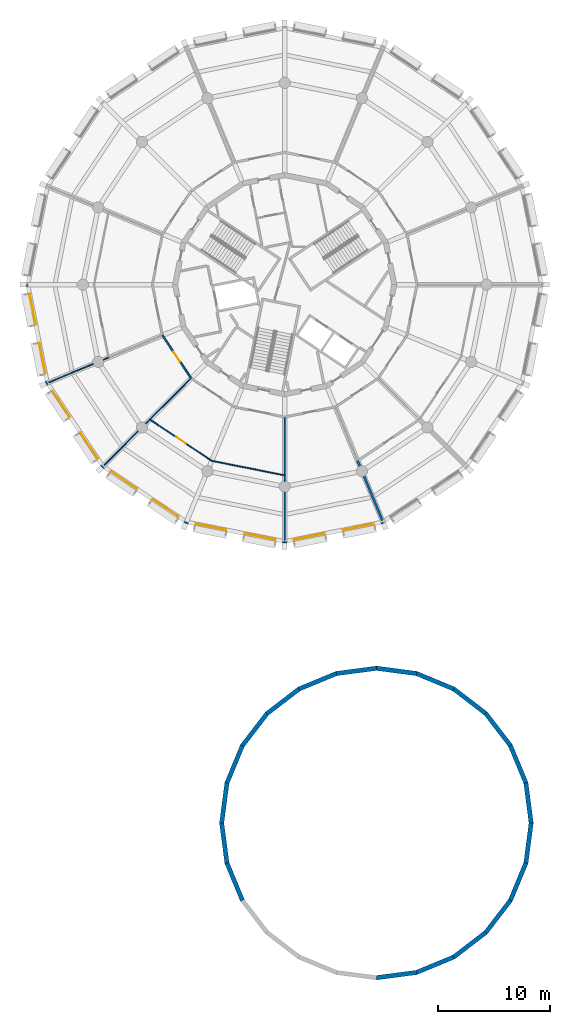
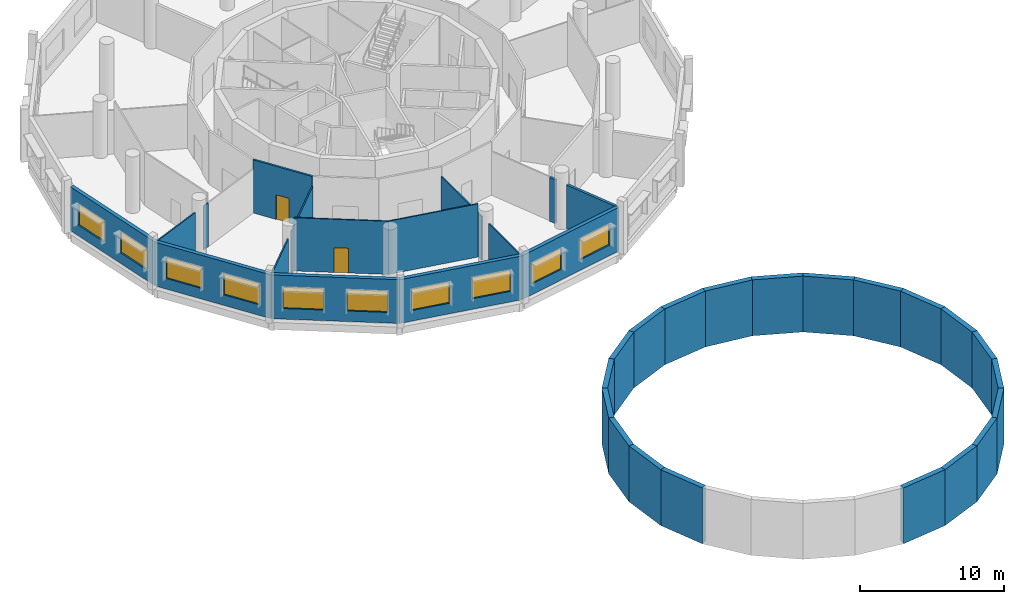
# One storey, part 2 of 8: 38 walls, 10 windows, 2 doors, 12 openings.
"""IFC4 building model written with IfcOpenShell, lengths in metres."""

from ifc_helpers import new_model, si_unit, direction, frame, frame_2d, origin, place, context, subcontext, project, spatial, polyline, rectangle, outline, extrude, material, layer, layer_set, type_object, element, fill, save


model = new_model("IFC4")

# Units and contexts
model_context = context("Model", 3, precision=1e-05, world=origin(), true_north=direction((0.0, 1.0)))
body_context = subcontext(model_context, "Body", "Model", "MODEL_VIEW")
ifc_project = project(units=[si_unit("LENGTHUNIT", "METRE"), si_unit("AREAUNIT", "SQUARE_METRE"), si_unit("VOLUMEUNIT", "CUBIC_METRE"), si_unit("PLANEANGLEUNIT", "RADIAN"), si_unit("MASSUNIT", "GRAM", prefix="KILO")], contexts=[model_context])

# Site, building, storey
site_placement = place(None, origin())
site = spatial("IfcSite", under=ifc_project, at=site_placement, CompositionType="ELEMENT")
building_placement = place(site_placement, origin())
building = spatial("IfcBuilding", under=site, at=building_placement, Name="Ceibo Conservatory and Research Tower", CompositionType="ELEMENT")
storey_placement = place(building_placement, frame((0.0, 0.0, 10.800048828125)))
storey = spatial("IfcBuildingStorey", under=building, at=storey_placement, Name="L02", CompositionType="ELEMENT", Elevation=10.800048828125)

# Walls
ifc_material_1 = material(Name="Masonry blockwork", Category="masonry")
ifc_layer_1 = layer(ifc_material_1, 0.199951171875)
ifc_layer_set_1 = layer_set([ifc_layer_1], Name="Masonry blockwork")
wall_type_1 = type_object("IfcWallType", Name="Compartment wall 200 EI 120", PredefinedType="SOLIDWALL", material=ifc_layer_set_1)
wall_1_placement = place(storey_placement, frame((54.505615234375, 104.294189453125, 0.0), z_axis=(0.0, 0.0, 1.0), x_axis=(0.382337704268, -0.924022662003, 0.0)))
element("IfcWall", 1, at=wall_1_placement, inside=storey, type_object=wall_type_1, Name="Partition 02.034", PredefinedType="SOLIDWALL", context=body_context, shape_type="SweptSolid", body=[
    extrude(rectangle(XDim=0.51025390625, YDim=0.199951171875, at=frame_2d((0.255126953125, 0.0))), origin(), (0.0, 0.0, 1.0), 3.719970703125),
])
wall_2_placement = place(storey_placement, frame((55.075927734375, 102.91748046875, 0.0), z_axis=(0.0, 0.0, 1.0), x_axis=(0.382681166404, -0.9238804711, 0.0)))
element("IfcWall", 2, at=wall_2_placement, inside=storey, type_object=wall_type_1, Name="Partition 02.035", PredefinedType="SOLIDWALL", context=body_context, shape_type="SweptSolid", body=[
    extrude(rectangle(XDim=4.27685546875, YDim=0.199951171875, at=frame_2d((2.138427734375, 0.0))), origin(), (0.0, 0.0, 1.0), 3.719970703125),
])

# Wall, opening, door
ifc_material_2 = material(Name="Plasterboard on metal studs, fire board")
ifc_layer_2 = layer(ifc_material_2, 0.14990234375)
ifc_layer_set_2 = layer_set([ifc_layer_2], Name="Plasterboard on metal studs, fire board")
wall_type_2 = type_object("IfcWallType", Name="Corridor wall 150 EI 60", PredefinedType="PARTITIONING", material=ifc_layer_set_2)
wall_3_placement = place(storey_placement, frame((39.656005859375, 111.656005859375, 0.0), z_axis=(0.0, 0.0, 1.0), x_axis=(-0.555544233776, 0.831486983854, 0.0)))
wall_3 = element("IfcWall", 3, at=wall_3_placement, inside=storey, type_object=wall_type_2, Name="Partition 02.010", PredefinedType="PARTITIONING", context=body_context, shape_type="SweptSolid", body=[
    extrude(rectangle(XDim=4.604248046875, YDim=0.14990234375, at=frame_2d((2.30224609375, 0.0))), origin(), (0.0, 0.0, 1.0), 4.52001953125),
])
opening_1_placement = place(wall_3_placement, frame((1.802001953125, 0.0, 0.0)))
opening_1 = element("IfcOpeningElement", 4, at=opening_1_placement, cuts=wall_3, Name="Opening T02-04", PredefinedType="OPENING", context=body_context, shape_type="SweptSolid", body=[
    extrude(rectangle(XDim=1.0, YDim=2.10009765625, at=frame_2d((0.5, 1.050048828125))), frame((0.0, 0.0849609375, 0.0), z_axis=(0.0, -1.0, 0.0), x_axis=(1.0, 0.0, 0.0)), (0.0, 0.0, 1.0), 0.169921875),
])
ifc_material_3 = material(Name="Galvanised sheet steel DX51D", Category="steel")
door_type_1 = type_object("IfcDoorType", Name="Door fire single wide 1000x2100 EI 60 (left hand)", OperationType="SINGLE_SWING_LEFT", PredefinedType="DOOR", material=ifc_material_3)
door_1_placement = place(opening_1_placement, origin())
door_1 = element("IfcDoor", 5, at=door_1_placement, inside=storey, type_object=door_type_1, Name="Door T02-04", OperationType="SINGLE_SWING_LEFT", OverallHeight=2.10009765625, OverallWidth=1.0, PredefinedType="DOOR", context=body_context, shape_type="SweptSolid", body=[
    extrude(rectangle(XDim=1.0, YDim=2.10009765625, at=frame_2d((0.5, 1.050048828125))), frame((0.0, 0.02490234375, 0.0), z_axis=(0.0, -1.0, 0.0), x_axis=(1.0, 0.0, 0.0)), (0.0, 0.0, 1.0), 0.050048828125),
])
fill(opening_1, door_1)

# Wall, openings, windows
ifc_material_4 = material(Name="Ceramic mosaic tessera")
ifc_layer_3 = layer(ifc_material_4, 0.010009765625, Name="Ceramic mosaic")
ifc_material_5 = material(Name="Polymer-modified bedding mortar")
ifc_layer_4 = layer(ifc_material_5, 0.014892578125, Name="Bedding mortar")
ifc_material_6 = material(Name="Mineral wool insulation")
ifc_layer_5 = layer(ifc_material_6, 0.050048828125, Name="Insulation")
ifc_material_7 = material(Name="Concrete C30/37", Category="concrete")
ifc_layer_6 = layer(ifc_material_7, 0.215087890625, Name="Reinforced concrete leaf")
ifc_material_8 = material(Name="Gypsum plaster")
ifc_layer_7 = layer(ifc_material_8, 0.010009765625, Name="Internal plaster")
ifc_layer_set_3 = layer_set([ifc_layer_3, ifc_layer_4, ifc_layer_5, ifc_layer_6, ifc_layer_7], Name="Concrete C30/37")
wall_type_3 = type_object("IfcWallType", Name="Facade panel wall 300", PredefinedType="SOLIDWALL", material=ifc_layer_set_3)
wall_4_placement = place(storey_placement, frame((25.10009765625, 120.0, 0.0), z_axis=(0.0, 0.0, 1.0), x_axis=(0.195091388425, -0.980785068281, 0.0)))
wall_4 = element("IfcWall", 6, at=wall_4_placement, inside=storey, type_object=wall_type_3, Name="Facade wall L02 facet 9", PredefinedType="SOLIDWALL", context=body_context, shape_type="SweptSolid", body=[
    extrude(outline(polyline([(-0.02978515625, -0.14990234375), (8.96484375, -0.14990234375), (8.9052734375, 0.14990234375), (0.02978515625, 0.14990234375), (-0.02978515625, -0.14990234375)])), origin(), (0.0, 0.0, 1.0), 3.719970703125),
])
opening_2_placement = place(wall_4_placement, frame((0.833740234375, 0.0, 0.89990234375)))
opening_2 = element("IfcOpeningElement", 7, at=opening_2_placement, cuts=wall_4, Name="Opening PW2", PredefinedType="OPENING", context=body_context, shape_type="SweptSolid", body=[
    extrude(rectangle(XDim=2.800048828125, YDim=1.800048828125, at=frame_2d((1.39990234375, 0.89990234375))), frame((0.0, 0.159912109375, 0.0), z_axis=(0.0, -1.0, 0.0), x_axis=(1.0, 0.0, 0.0)), (0.0, 0.0, 1.0), 0.320068359375),
])
opening_3_placement = place(wall_4_placement, frame((5.301513671875, 0.0, 0.89990234375)))
opening_3 = element("IfcOpeningElement", 8, at=opening_3_placement, cuts=wall_4, Name="Opening PW2", PredefinedType="OPENING", context=body_context, shape_type="SweptSolid", body=[
    extrude(rectangle(XDim=2.800048828125, YDim=1.800048828125, at=frame_2d((1.39990234375, 0.89990234375))), frame((0.0, 0.159912109375, 0.0), z_axis=(0.0, -1.0, 0.0), x_axis=(1.0, 0.0, 0.0)), (0.0, 0.0, 1.0), 0.320068359375),
])
ifc_material_9 = material(Name="Aluminium frame with double glazing", Category="aluminium")
window_type = type_object("IfcWindowType", Name="Punched window PW1 2800 x 1800", PartitioningType="DOUBLE_PANEL_VERTICAL", PredefinedType="WINDOW", material=ifc_material_9)
window_1_placement = place(opening_2_placement, origin())
window_1 = element("IfcWindow", 9, at=window_1_placement, inside=storey, type_object=window_type, Name="T.L02.F08.WIN.1", OverallHeight=1.800048828125, OverallWidth=2.800048828125, PartitioningType="DOUBLE_PANEL_VERTICAL", PredefinedType="WINDOW", context=body_context, shape_type="SweptSolid", body=[
    extrude(rectangle(XDim=2.800048828125, YDim=1.800048828125, at=frame_2d((1.39990234375, 0.89990234375))), frame((0.0, 0.030029296875, 0.0), z_axis=(0.0, -1.0, 0.0), x_axis=(1.0, 0.0, 0.0)), (0.0, 0.0, 1.0), 0.06005859375),
])
fill(opening_2, window_1)
window_2_placement = place(opening_3_placement, origin())
window_2 = element("IfcWindow", 10, at=window_2_placement, inside=storey, type_object=window_type, Name="T.L02.F08.WIN.2", OverallHeight=1.800048828125, OverallWidth=2.800048828125, PartitioningType="DOUBLE_PANEL_VERTICAL", PredefinedType="WINDOW", context=body_context, shape_type="SweptSolid", body=[
    extrude(rectangle(XDim=2.800048828125, YDim=1.800048828125, at=frame_2d((1.39990234375, 0.89990234375))), frame((0.0, 0.030029296875, 0.0), z_axis=(0.0, -1.0, 0.0), x_axis=(1.0, 0.0, 0.0)), (0.0, 0.0, 1.0), 0.06005859375),
])
fill(opening_3, window_2)

wall_5_placement = place(storey_placement, frame((26.84326171875, 111.236572265625, 0.0), z_axis=(0.0, 0.0, 1.0), x_axis=(0.555576354317, -0.83146552215, 0.0)))
wall_5 = element("IfcWall", 11, at=wall_5_placement, inside=storey, type_object=wall_type_3, Name="Facade wall L02 facet 10", PredefinedType="SOLIDWALL", context=body_context, shape_type="SweptSolid", body=[
    extrude(outline(polyline([(-0.02978515625, -0.14990234375), (8.96484375, -0.14990234375), (8.9052734375, 0.14990234375), (0.02978515625, 0.14990234375), (-0.02978515625, -0.14990234375)])), origin(), (0.0, 0.0, 1.0), 3.719970703125),
])
opening_4_placement = place(wall_5_placement, frame((0.833740234375, 0.0, 0.89990234375)))
opening_4 = element("IfcOpeningElement", 12, at=opening_4_placement, cuts=wall_5, Name="Opening PW2", PredefinedType="OPENING", context=body_context, shape_type="SweptSolid", body=[
    extrude(rectangle(XDim=2.800048828125, YDim=1.800048828125, at=frame_2d((1.39990234375, 0.89990234375))), frame((0.0, 0.159912109375, 0.0), z_axis=(0.0, -1.0, 0.0), x_axis=(1.0, 0.0, 0.0)), (0.0, 0.0, 1.0), 0.320068359375),
])
opening_5_placement = place(wall_5_placement, frame((5.301513671875, 0.0, 0.89990234375)))
opening_5 = element("IfcOpeningElement", 13, at=opening_5_placement, cuts=wall_5, Name="Opening PW2", PredefinedType="OPENING", context=body_context, shape_type="SweptSolid", body=[
    extrude(rectangle(XDim=2.800048828125, YDim=1.800048828125, at=frame_2d((1.39990234375, 0.89990234375))), frame((0.0, 0.159912109375, 0.0), z_axis=(0.0, -1.0, 0.0), x_axis=(1.0, 0.0, 0.0)), (0.0, 0.0, 1.0), 0.320068359375),
])
window_3_placement = place(opening_4_placement, origin())
window_3 = element("IfcWindow", 14, at=window_3_placement, inside=storey, type_object=window_type, Name="T.L02.F09.WIN.1", OverallHeight=1.800048828125, OverallWidth=2.800048828125, PartitioningType="DOUBLE_PANEL_VERTICAL", PredefinedType="WINDOW", context=body_context, shape_type="SweptSolid", body=[
    extrude(rectangle(XDim=2.800048828125, YDim=1.800048828125, at=frame_2d((1.39990234375, 0.89990234375))), frame((0.0, 0.030029296875, 0.0), z_axis=(0.0, -1.0, 0.0), x_axis=(1.0, 0.0, 0.0)), (0.0, 0.0, 1.0), 0.06005859375),
])
fill(opening_4, window_3)
window_4_placement = place(opening_5_placement, origin())
window_4 = element("IfcWindow", 15, at=window_4_placement, inside=storey, type_object=window_type, Name="T.L02.F09.WIN.2", OverallHeight=1.800048828125, OverallWidth=2.800048828125, PartitioningType="DOUBLE_PANEL_VERTICAL", PredefinedType="WINDOW", context=body_context, shape_type="SweptSolid", body=[
    extrude(rectangle(XDim=2.800048828125, YDim=1.800048828125, at=frame_2d((1.39990234375, 0.89990234375))), frame((0.0, 0.030029296875, 0.0), z_axis=(0.0, -1.0, 0.0), x_axis=(1.0, 0.0, 0.0)), (0.0, 0.0, 1.0), 0.06005859375),
])
fill(opening_5, window_4)

wall_6_placement = place(storey_placement, frame((31.807373046875, 103.807373046875, 0.0), z_axis=(0.0, 0.0, 1.0), x_axis=(0.83146552215, -0.555576354317, 0.0)))
wall_6 = element("IfcWall", 16, at=wall_6_placement, inside=storey, type_object=wall_type_3, Name="Facade wall L02 facet 11", PredefinedType="SOLIDWALL", context=body_context, shape_type="SweptSolid", body=[
    extrude(outline(polyline([(-0.02978515625, -0.14990234375), (8.96484375, -0.14990234375), (8.9052734375, 0.14990234375), (0.02978515625, 0.14990234375), (-0.02978515625, -0.14990234375)])), origin(), (0.0, 0.0, 1.0), 3.719970703125),
])
opening_6_placement = place(wall_6_placement, frame((0.833740234375, 0.0, 0.89990234375)))
opening_6 = element("IfcOpeningElement", 17, at=opening_6_placement, cuts=wall_6, Name="Opening PW2", PredefinedType="OPENING", context=body_context, shape_type="SweptSolid", body=[
    extrude(rectangle(XDim=2.800048828125, YDim=1.800048828125, at=frame_2d((1.39990234375, 0.89990234375))), frame((0.0, 0.159912109375, 0.0), z_axis=(0.0, -1.0, 0.0), x_axis=(1.0, 0.0, 0.0)), (0.0, 0.0, 1.0), 0.320068359375),
])
opening_7_placement = place(wall_6_placement, frame((5.301513671875, 0.0, 0.89990234375)))
opening_7 = element("IfcOpeningElement", 18, at=opening_7_placement, cuts=wall_6, Name="Opening PW2", PredefinedType="OPENING", context=body_context, shape_type="SweptSolid", body=[
    extrude(rectangle(XDim=2.800048828125, YDim=1.800048828125, at=frame_2d((1.39990234375, 0.89990234375))), frame((0.0, 0.159912109375, 0.0), z_axis=(0.0, -1.0, 0.0), x_axis=(1.0, 0.0, 0.0)), (0.0, 0.0, 1.0), 0.320068359375),
])
window_5_placement = place(opening_6_placement, origin())
window_5 = element("IfcWindow", 19, at=window_5_placement, inside=storey, type_object=window_type, Name="T.L02.F10.WIN.1", OverallHeight=1.800048828125, OverallWidth=2.800048828125, PartitioningType="DOUBLE_PANEL_VERTICAL", PredefinedType="WINDOW", context=body_context, shape_type="SweptSolid", body=[
    extrude(rectangle(XDim=2.800048828125, YDim=1.800048828125, at=frame_2d((1.39990234375, 0.89990234375))), frame((0.0, 0.030029296875, 0.0), z_axis=(0.0, -1.0, 0.0), x_axis=(1.0, 0.0, 0.0)), (0.0, 0.0, 1.0), 0.06005859375),
])
fill(opening_6, window_5)
window_6_placement = place(opening_7_placement, origin())
window_6 = element("IfcWindow", 20, at=window_6_placement, inside=storey, type_object=window_type, Name="T.L02.F10.WIN.2", OverallHeight=1.800048828125, OverallWidth=2.800048828125, PartitioningType="DOUBLE_PANEL_VERTICAL", PredefinedType="WINDOW", context=body_context, shape_type="SweptSolid", body=[
    extrude(rectangle(XDim=2.800048828125, YDim=1.800048828125, at=frame_2d((1.39990234375, 0.89990234375))), frame((0.0, 0.030029296875, 0.0), z_axis=(0.0, -1.0, 0.0), x_axis=(1.0, 0.0, 0.0)), (0.0, 0.0, 1.0), 0.06005859375),
])
fill(opening_7, window_6)

wall_7_placement = place(storey_placement, frame((39.236572265625, 98.84326171875, 0.0), z_axis=(0.0, 0.0, 1.0), x_axis=(0.980785068281, -0.195091388425, 0.0)))
wall_7 = element("IfcWall", 21, at=wall_7_placement, inside=storey, type_object=wall_type_3, Name="Facade wall L02 facet 12", PredefinedType="SOLIDWALL", context=body_context, shape_type="SweptSolid", body=[
    extrude(outline(polyline([(-0.02978515625, -0.14990234375), (8.96484375, -0.14990234375), (8.9052734375, 0.14990234375), (0.02978515625, 0.14990234375), (-0.02978515625, -0.14990234375)])), origin(), (0.0, 0.0, 1.0), 3.719970703125),
])
opening_8_placement = place(wall_7_placement, frame((0.833740234375, 0.0, 0.89990234375)))
opening_8 = element("IfcOpeningElement", 22, at=opening_8_placement, cuts=wall_7, Name="Opening PW2", PredefinedType="OPENING", context=body_context, shape_type="SweptSolid", body=[
    extrude(rectangle(XDim=2.800048828125, YDim=1.800048828125, at=frame_2d((1.39990234375, 0.89990234375))), frame((0.0, 0.159912109375, 0.0), z_axis=(0.0, -1.0, 0.0), x_axis=(1.0, 0.0, 0.0)), (0.0, 0.0, 1.0), 0.320068359375),
])
opening_9_placement = place(wall_7_placement, frame((5.301513671875, 0.0, 0.89990234375)))
opening_9 = element("IfcOpeningElement", 23, at=opening_9_placement, cuts=wall_7, Name="Opening PW2", PredefinedType="OPENING", context=body_context, shape_type="SweptSolid", body=[
    extrude(rectangle(XDim=2.800048828125, YDim=1.800048828125, at=frame_2d((1.39990234375, 0.89990234375))), frame((0.0, 0.159912109375, 0.0), z_axis=(0.0, -1.0, 0.0), x_axis=(1.0, 0.0, 0.0)), (0.0, 0.0, 1.0), 0.320068359375),
])
window_7_placement = place(opening_8_placement, origin())
window_7 = element("IfcWindow", 24, at=window_7_placement, inside=storey, type_object=window_type, Name="T.L02.F11.WIN.1", OverallHeight=1.800048828125, OverallWidth=2.800048828125, PartitioningType="DOUBLE_PANEL_VERTICAL", PredefinedType="WINDOW", context=body_context, shape_type="SweptSolid", body=[
    extrude(rectangle(XDim=2.800048828125, YDim=1.800048828125, at=frame_2d((1.39990234375, 0.89990234375))), frame((0.0, 0.030029296875, 0.0), z_axis=(0.0, -1.0, 0.0), x_axis=(1.0, 0.0, 0.0)), (0.0, 0.0, 1.0), 0.06005859375),
])
fill(opening_8, window_7)
window_8_placement = place(opening_9_placement, origin())
window_8 = element("IfcWindow", 25, at=window_8_placement, inside=storey, type_object=window_type, Name="T.L02.F11.WIN.2", OverallHeight=1.800048828125, OverallWidth=2.800048828125, PartitioningType="DOUBLE_PANEL_VERTICAL", PredefinedType="WINDOW", context=body_context, shape_type="SweptSolid", body=[
    extrude(rectangle(XDim=2.800048828125, YDim=1.800048828125, at=frame_2d((1.39990234375, 0.89990234375))), frame((0.0, 0.030029296875, 0.0), z_axis=(0.0, -1.0, 0.0), x_axis=(1.0, 0.0, 0.0)), (0.0, 0.0, 1.0), 0.06005859375),
])
fill(opening_9, window_8)

wall_8_placement = place(storey_placement, frame((48.0, 97.10009765625, 0.0), z_axis=(0.0, 0.0, 1.0), x_axis=(0.980785068281, 0.195091388425, 0.0)))
wall_8 = element("IfcWall", 26, at=wall_8_placement, inside=storey, type_object=wall_type_3, Name="Facade wall L02 facet 13", PredefinedType="SOLIDWALL", context=body_context, shape_type="SweptSolid", body=[
    extrude(outline(polyline([(-0.02978515625, -0.14990234375), (8.96484375, -0.14990234375), (8.9052734375, 0.14990234375), (0.02978515625, 0.14990234375), (-0.02978515625, -0.14990234375)])), origin(), (0.0, 0.0, 1.0), 3.719970703125),
])
opening_10_placement = place(wall_8_placement, frame((0.833740234375, 0.0, 0.89990234375)))
opening_10 = element("IfcOpeningElement", 27, at=opening_10_placement, cuts=wall_8, Name="Opening PW2", PredefinedType="OPENING", context=body_context, shape_type="SweptSolid", body=[
    extrude(rectangle(XDim=2.800048828125, YDim=1.800048828125, at=frame_2d((1.39990234375, 0.89990234375))), frame((0.0, 0.159912109375, 0.0), z_axis=(0.0, -1.0, 0.0), x_axis=(1.0, 0.0, 0.0)), (0.0, 0.0, 1.0), 0.320068359375),
])
opening_11_placement = place(wall_8_placement, frame((5.301513671875, 0.0, 0.89990234375)))
opening_11 = element("IfcOpeningElement", 28, at=opening_11_placement, cuts=wall_8, Name="Opening PW2", PredefinedType="OPENING", context=body_context, shape_type="SweptSolid", body=[
    extrude(rectangle(XDim=2.800048828125, YDim=1.800048828125, at=frame_2d((1.39990234375, 0.89990234375))), frame((0.0, 0.159912109375, 0.0), z_axis=(0.0, -1.0, 0.0), x_axis=(1.0, 0.0, 0.0)), (0.0, 0.0, 1.0), 0.320068359375),
])
window_9_placement = place(opening_10_placement, origin())
window_9 = element("IfcWindow", 29, at=window_9_placement, inside=storey, type_object=window_type, Name="T.L02.F12.WIN.1", OverallHeight=1.800048828125, OverallWidth=2.800048828125, PartitioningType="DOUBLE_PANEL_VERTICAL", PredefinedType="WINDOW", context=body_context, shape_type="SweptSolid", body=[
    extrude(rectangle(XDim=2.800048828125, YDim=1.800048828125, at=frame_2d((1.39990234375, 0.89990234375))), frame((0.0, 0.030029296875, 0.0), z_axis=(0.0, -1.0, 0.0), x_axis=(1.0, 0.0, 0.0)), (0.0, 0.0, 1.0), 0.06005859375),
])
fill(opening_10, window_9)
window_10_placement = place(opening_11_placement, origin())
window_10 = element("IfcWindow", 30, at=window_10_placement, inside=storey, type_object=window_type, Name="T.L02.F12.WIN.2", OverallHeight=1.800048828125, OverallWidth=2.800048828125, PartitioningType="DOUBLE_PANEL_VERTICAL", PredefinedType="WINDOW", context=body_context, shape_type="SweptSolid", body=[
    extrude(rectangle(XDim=2.800048828125, YDim=1.800048828125, at=frame_2d((1.39990234375, 0.89990234375))), frame((0.0, 0.030029296875, 0.0), z_axis=(0.0, -1.0, 0.0), x_axis=(1.0, 0.0, 0.0)), (0.0, 0.0, 1.0), 0.06005859375),
])
fill(opening_11, window_10)

# Walls
ifc_material_10 = material(Name="Plasterboard on metal studs")
ifc_layer_8 = layer(ifc_material_10, 0.10009765625)
ifc_layer_set_4 = layer_set([ifc_layer_8], Name="Plasterboard on metal studs")
wall_type_4 = type_object("IfcWallType", Name="Partition 100", PredefinedType="PARTITIONING", material=ifc_layer_set_4)
wall_9_placement = place(storey_placement, frame((30.91748046875, 112.92431640625, 0.0), z_axis=(0.0, 0.0, 1.0), x_axis=(-0.923860288639, -0.382729887879, 0.0)))
element("IfcWall", 31, at=wall_9_placement, inside=storey, type_object=wall_type_4, Name="Partition 02.021", PredefinedType="PARTITIONING", context=body_context, shape_type="SweptSolid", body=[
    extrude(rectangle(XDim=4.277099609375, YDim=0.10009765625, at=frame_2d((2.138671875, 0.0))), origin(), (0.0, 0.0, 1.0), 3.719970703125),
])
wall_10_placement = place(storey_placement, frame((32.2939453125, 113.494384765625, 0.0), z_axis=(0.0, 0.0, 1.0), x_axis=(-0.923952664473, -0.382506828453, 0.0)))
element("IfcWall", 32, at=wall_10_placement, inside=storey, type_object=wall_type_4, Name="Partition 02.022", PredefinedType="PARTITIONING", context=body_context, shape_type="SweptSolid", body=[
    extrude(rectangle(XDim=0.510009765625, YDim=0.10009765625, at=frame_2d((0.2548828125, 0.0))), origin(), (0.0, 0.0, 1.0), 3.719970703125),
])
wall_11_placement = place(storey_placement, frame((39.60546875, 111.60546875, 0.0), z_axis=(0.0, 0.0, 1.0), x_axis=(-0.707106781187, -0.707106781187, 0.0)))
element("IfcWall", 33, at=wall_11_placement, inside=storey, type_object=wall_type_4, Name="Partition 02.025", PredefinedType="PARTITIONING", context=body_context, shape_type="SweptSolid", body=[
    extrude(rectangle(XDim=5.128173828125, YDim=0.10009765625, at=frame_2d((2.56396484375, 0.0))), origin(), (0.0, 0.0, 1.0), 3.719970703125),
])
wall_12_placement = place(storey_placement, frame((34.925537109375, 106.925537109375, 0.0), z_axis=(0.0, 0.0, 1.0), x_axis=(-0.707106781187, -0.707106781187, 0.0)))
element("IfcWall", 34, at=wall_12_placement, inside=storey, type_object=wall_type_4, Name="Partition 02.026", PredefinedType="PARTITIONING", context=body_context, shape_type="SweptSolid", body=[
    extrude(rectangle(XDim=4.27685546875, YDim=0.10009765625, at=frame_2d((2.138427734375, 0.0))), origin(), (0.0, 0.0, 1.0), 3.719970703125),
])
wall_13_placement = place(storey_placement, frame((35.979248046875, 107.979248046875, 0.0), z_axis=(0.0, 0.0, 1.0), x_axis=(-0.707106781187, -0.707106781187, 0.0)))
element("IfcWall", 35, at=wall_13_placement, inside=storey, type_object=wall_type_4, Name="Partition 02.027", PredefinedType="PARTITIONING", context=body_context, shape_type="SweptSolid", body=[
    extrude(rectangle(XDim=0.510009765625, YDim=0.10009765625, at=frame_2d((0.2548828125, 0.0))), origin(), (0.0, 0.0, 1.0), 3.719970703125),
])
wall_14_placement = place(storey_placement, frame((47.954833984375, 103.009033203125, 0.0), z_axis=(0.0, 0.0, 1.0), x_axis=(-0.980789670509, 0.195068250166, 0.0)))
element("IfcWall", 36, at=wall_14_placement, inside=storey, type_object=wall_type_4, Name="Partition 02.028", PredefinedType="PARTITIONING", context=body_context, shape_type="SweptSolid", body=[
    extrude(rectangle(XDim=6.5869140625, YDim=0.10009765625, at=frame_2d((3.29345703125, 0.0))), origin(), (0.0, 0.0, 1.0), 4.52001953125),
])

# Wall, opening, door
wall_15_placement = place(storey_placement, frame((41.494384765625, 104.2939453125, 0.0), z_axis=(0.0, 0.0, 1.0), x_axis=(-0.831468235155, 0.555572294061, 0.0)))
wall_15 = element("IfcWall", 37, at=wall_15_placement, inside=storey, type_object=wall_type_4, Name="Partition 02.029", PredefinedType="PARTITIONING", context=body_context, shape_type="SweptSolid", body=[
    extrude(rectangle(XDim=6.587158203125, YDim=0.10009765625, at=frame_2d((3.29345703125, 0.0))), origin(), (0.0, 0.0, 1.0), 4.52001953125),
])
opening_12_placement = place(wall_15_placement, frame((2.79345703125, 0.0, 0.0)))
opening_12 = element("IfcOpeningElement", 38, at=opening_12_placement, cuts=wall_15, Name="Opening T02-07", PredefinedType="OPENING", context=body_context, shape_type="SweptSolid", body=[
    extrude(rectangle(XDim=1.0, YDim=2.10009765625, at=frame_2d((0.5, 1.050048828125))), frame((0.0, 0.06005859375, 0.0), z_axis=(0.0, -1.0, 0.0), x_axis=(1.0, 0.0, 0.0)), (0.0, 0.0, 1.0), 0.1201171875),
])
ifc_material_11 = material(Name="Solid timber", Category="wood")
door_type_2 = type_object("IfcDoorType", Name="Door single wide 1000x2100 (right hand)", OperationType="SINGLE_SWING_RIGHT", PredefinedType="DOOR", material=ifc_material_11)
door_2_placement = place(opening_12_placement, origin())
door_2 = element("IfcDoor", 39, at=door_2_placement, inside=storey, type_object=door_type_2, Name="Door T02-07", OperationType="SINGLE_SWING_RIGHT", OverallHeight=2.10009765625, OverallWidth=1.0, PredefinedType="DOOR", context=body_context, shape_type="SweptSolid", body=[
    extrude(rectangle(XDim=1.0, YDim=2.10009765625, at=frame_2d((0.5, 1.050048828125))), frame((0.0, 0.02490234375, 0.0), z_axis=(0.0, -1.0, 0.0), x_axis=(1.0, 0.0, 0.0)), (0.0, 0.0, 1.0), 0.050048828125),
])
fill(opening_12, door_2)

# Walls
wall_16_placement = place(storey_placement, frame((48.0, 108.12841796875, 0.0), z_axis=(0.0, 0.0, 1.0), x_axis=(0.0, -1.0, 0.0)))
element("IfcWall", 40, at=wall_16_placement, inside=storey, type_object=wall_type_4, Name="Partition 02.030", PredefinedType="PARTITIONING", context=body_context, shape_type="SweptSolid", body=[
    extrude(rectangle(XDim=5.12841796875, YDim=0.10009765625, at=frame_2d((2.564208984375, 0.0))), origin(), (0.0, 0.0, 1.0), 3.719970703125),
])
wall_17_placement = place(storey_placement, frame((48.0, 101.510009765625, 0.0), z_axis=(0.0, 0.0, 1.0), x_axis=(0.0, -1.0, 0.0)))
element("IfcWall", 41, at=wall_17_placement, inside=storey, type_object=wall_type_4, Name="Partition 02.031", PredefinedType="PARTITIONING", context=body_context, shape_type="SweptSolid", body=[
    extrude(rectangle(XDim=4.277099609375, YDim=0.10009765625, at=frame_2d((2.138671875, 0.0))), origin(), (0.0, 0.0, 1.0), 3.719970703125),
])
wall_18_placement = place(storey_placement, frame((48.0, 103.0, 0.0), z_axis=(0.0, 0.0, 1.0), x_axis=(0.0, -1.0, 0.0)))
element("IfcWall", 42, at=wall_18_placement, inside=storey, type_object=wall_type_4, Name="Partition 02.032", PredefinedType="PARTITIONING", context=body_context, shape_type="SweptSolid", body=[
    extrude(rectangle(XDim=0.510009765625, YDim=0.10009765625, at=frame_2d((0.2548828125, 0.0))), origin(), (0.0, 0.0, 1.0), 3.719970703125),
])
ifc_material_12 = material(Name="Concrete C40/50", Category="concrete")
ifc_layer_9 = layer(ifc_material_12, 0.39990234375)
ifc_layer_set_5 = layer_set([ifc_layer_9], Name="Concrete C40/50")
wall_type_5 = type_object("IfcWallType", Name="RC drum wall 400 C40", PredefinedType="SOLIDWALL", material=ifc_layer_set_5)
for number, where, z_axis, x_axis, name in (
    (43, (69.978271484375, 72.0, 0.0), (0.0, 0.0, 1.0), (-0.13047204524, 0.991451988455, 0.0), "Auditorium wall L02 01"),
    (44, (69.50830078125, 75.5712890625, 0.0), (0.0, 0.0, 1.0), (-0.382732890199, 0.923859044855, 0.0), "Auditorium wall L02 02"),
):
    element("IfcWall", number, at=place(storey_placement, frame(where, z_axis=z_axis, x_axis=x_axis)), inside=storey, type_object=wall_type_5, Name=name, PredefinedType="SOLIDWALL", context=body_context, shape_type="SweptSolid", body=[
        extrude(outline(polyline([(-0.0263671875, -0.199951171875), (3.62841796875, -0.199951171875), (3.57568359375, 0.199951171875), (0.0263671875, 0.199951171875), (-0.0263671875, -0.199951171875)])), origin(), (0.0, 0.0, 1.0), 4.75),
    ])
wall_19_placement = place(storey_placement, frame((68.129638671875, 78.899169921875, 0.0), z_axis=(0.0, 0.0, 1.0), x_axis=(-0.608737436008, 0.793371750192, 0.0)))
element("IfcWall", 45, at=wall_19_placement, inside=storey, type_object=wall_type_5, Name="Auditorium wall L02 03", PredefinedType="SOLIDWALL", context=body_context, shape_type="SweptSolid", body=[
    extrude(outline(polyline([(-0.0263671875, -0.199951171875), (3.628173828125, -0.199951171875), (3.575439453125, 0.199951171875), (0.0263671875, 0.199951171875), (-0.0263671875, -0.199951171875)])), origin(), (0.0, 0.0, 1.0), 4.75),
])
wall_20_placement = place(storey_placement, frame((65.93701171875, 81.7568359375, 0.0), z_axis=(0.0, 0.0, 1.0), x_axis=(-0.793364132735, 0.608747363764, 0.0)))
element("IfcWall", 46, at=wall_20_placement, inside=storey, type_object=wall_type_5, Name="Auditorium wall L02 04", PredefinedType="SOLIDWALL", context=body_context, shape_type="SweptSolid", body=[
    extrude(outline(polyline([(-0.0263671875, -0.199951171875), (3.628662109375, -0.199951171875), (3.575927734375, 0.199951171875), (0.0263671875, 0.199951171875), (-0.0263671875, -0.199951171875)])), origin(), (0.0, 0.0, 1.0), 4.75),
])
wall_21_placement = place(storey_placement, frame((63.0791015625, 83.94970703125, 0.0), z_axis=(0.0, 0.0, 1.0), x_axis=(-0.923883008779, 0.382675039804, 0.0)))
element("IfcWall", 47, at=wall_21_placement, inside=storey, type_object=wall_type_5, Name="Auditorium wall L02 05", PredefinedType="SOLIDWALL", context=body_context, shape_type="SweptSolid", body=[
    extrude(outline(polyline([(-0.0263671875, -0.199951171875), (3.62841796875, -0.199951171875), (3.57568359375, 0.199951171875), (0.0263671875, 0.199951171875), (-0.0263671875, -0.199951171875)])), origin(), (0.0, 0.0, 1.0), 4.75),
])
wall_22_placement = place(storey_placement, frame((59.751220703125, 85.328125, 0.0), z_axis=(0.0, 0.0, 1.0), x_axis=(-0.99144206373, 0.130547440674, 0.0)))
element("IfcWall", 48, at=wall_22_placement, inside=storey, type_object=wall_type_5, Name="Auditorium wall L02 06", PredefinedType="SOLIDWALL", context=body_context, shape_type="SweptSolid", body=[
    extrude(outline(polyline([(-0.0263671875, -0.199951171875), (3.628173828125, -0.199951171875), (3.575439453125, 0.199951171875), (0.0263671875, 0.199951171875), (-0.0263671875, -0.199951171875)])), origin(), (0.0, 0.0, 1.0), 4.75),
])
for number, where, z_axis, x_axis, name in (
    (49, (56.18017578125, 85.79833984375, 0.0), (0.0, 0.0, 1.0), (-0.991443218791, -0.130538668266, 0.0), "Auditorium wall L02 07"),
    (50, (52.60888671875, 85.328125, 0.0), (0.0, 0.0, 1.0), (-0.923883008779, -0.382675039804, 0.0), "Auditorium wall L02 08"),
    (51, (49.281005859375, 83.94970703125, 0.0), (0.0, 0.0, 1.0), (-0.793339015417, -0.608780097093, 0.0), "Auditorium wall L02 09"),
    (52, (46.42333984375, 81.7568359375, 0.0), (0.0, 0.0, 1.0), (-0.608780097093, -0.793339015417, 0.0), "Auditorium wall L02 10"),
    (53, (44.23046875, 78.899169921875, 0.0), (0.0, 0.0, 1.0), (-0.382675039804, -0.923883008779, 0.0), "Auditorium wall L02 11"),
    (54, (42.85205078125, 75.5712890625, 0.0), (0.0, 0.0, 1.0), (-0.130538668266, -0.991443218791, 0.0), "Auditorium wall L02 12"),
    (55, (42.3818359375, 72.0, 0.0), (0.0, 0.0, 1.0), (0.130538668266, -0.991443218791, 0.0), "Auditorium wall L02 13"),
    (56, (42.85205078125, 68.4287109375, 0.0), (0.0, 0.0, 1.0), (0.382675039804, -0.923883008779, 0.0), "Auditorium wall L02 14"),
):
    element("IfcWall", number, at=place(storey_placement, frame(where, z_axis=z_axis, x_axis=x_axis)), inside=storey, type_object=wall_type_5, Name=name, PredefinedType="SOLIDWALL", context=body_context, shape_type="SweptSolid", body=[
        extrude(outline(polyline([(-0.0263671875, -0.199951171875), (3.62841796875, -0.199951171875), (3.57568359375, 0.199951171875), (0.0263671875, 0.199951171875), (-0.0263671875, -0.199951171875)])), origin(), (0.0, 0.0, 1.0), 4.75),
    ])
wall_23_placement = place(storey_placement, frame((56.18017578125, 58.20166015625, 0.0), z_axis=(0.0, 0.0, 1.0), x_axis=(0.99144206373, 0.130547440674, 0.0)))
element("IfcWall", 57, at=wall_23_placement, inside=storey, type_object=wall_type_5, Name="Auditorium wall L02 19", PredefinedType="SOLIDWALL", context=body_context, shape_type="SweptSolid", body=[
    extrude(outline(polyline([(-0.0263671875, -0.199951171875), (3.628173828125, -0.199951171875), (3.575439453125, 0.199951171875), (0.0263671875, 0.199951171875), (-0.0263671875, -0.199951171875)])), origin(), (0.0, 0.0, 1.0), 4.75),
])
wall_24_placement = place(storey_placement, frame((59.751220703125, 58.671875, 0.0), z_axis=(0.0, 0.0, 1.0), x_axis=(0.923883008779, 0.382675039804, 0.0)))
element("IfcWall", 58, at=wall_24_placement, inside=storey, type_object=wall_type_5, Name="Auditorium wall L02 20", PredefinedType="SOLIDWALL", context=body_context, shape_type="SweptSolid", body=[
    extrude(outline(polyline([(-0.0263671875, -0.199951171875), (3.62841796875, -0.199951171875), (3.57568359375, 0.199951171875), (0.0263671875, 0.199951171875), (-0.0263671875, -0.199951171875)])), origin(), (0.0, 0.0, 1.0), 4.75),
])
wall_25_placement = place(storey_placement, frame((63.0791015625, 60.05029296875, 0.0), z_axis=(0.0, 0.0, 1.0), x_axis=(0.793364132735, 0.608747363764, 0.0)))
element("IfcWall", 59, at=wall_25_placement, inside=storey, type_object=wall_type_5, Name="Auditorium wall L02 21", PredefinedType="SOLIDWALL", context=body_context, shape_type="SweptSolid", body=[
    extrude(outline(polyline([(-0.0263671875, -0.199951171875), (3.628662109375, -0.199951171875), (3.575927734375, 0.199951171875), (0.0263671875, 0.199951171875), (-0.0263671875, -0.199951171875)])), origin(), (0.0, 0.0, 1.0), 4.75),
])
wall_26_placement = place(storey_placement, frame((65.93701171875, 62.2431640625, 0.0), z_axis=(0.0, 0.0, 1.0), x_axis=(0.608737436008, 0.793371750192, 0.0)))
element("IfcWall", 60, at=wall_26_placement, inside=storey, type_object=wall_type_5, Name="Auditorium wall L02 22", PredefinedType="SOLIDWALL", context=body_context, shape_type="SweptSolid", body=[
    extrude(outline(polyline([(-0.0263671875, -0.199951171875), (3.628173828125, -0.199951171875), (3.575439453125, 0.199951171875), (0.0263671875, 0.199951171875), (-0.0263671875, -0.199951171875)])), origin(), (0.0, 0.0, 1.0), 4.75),
])
for number, where, z_axis, x_axis, name in (
    (61, (68.129638671875, 65.100830078125, 0.0), (0.0, 0.0, 1.0), (0.382732890199, 0.923859044855, 0.0), "Auditorium wall L02 23"),
    (62, (69.50830078125, 68.4287109375, 0.0), (0.0, 0.0, 1.0), (0.13047204524, 0.991451988455, 0.0), "Auditorium wall L02 24"),
):
    element("IfcWall", number, at=place(storey_placement, frame(where, z_axis=z_axis, x_axis=x_axis)), inside=storey, type_object=wall_type_5, Name=name, PredefinedType="SOLIDWALL", context=body_context, shape_type="SweptSolid", body=[
        extrude(outline(polyline([(-0.0263671875, -0.199951171875), (3.62841796875, -0.199951171875), (3.57568359375, 0.199951171875), (0.0263671875, 0.199951171875), (-0.0263671875, -0.199951171875)])), origin(), (0.0, 0.0, 1.0), 4.75),
    ])

save(model, "model.ifc")
